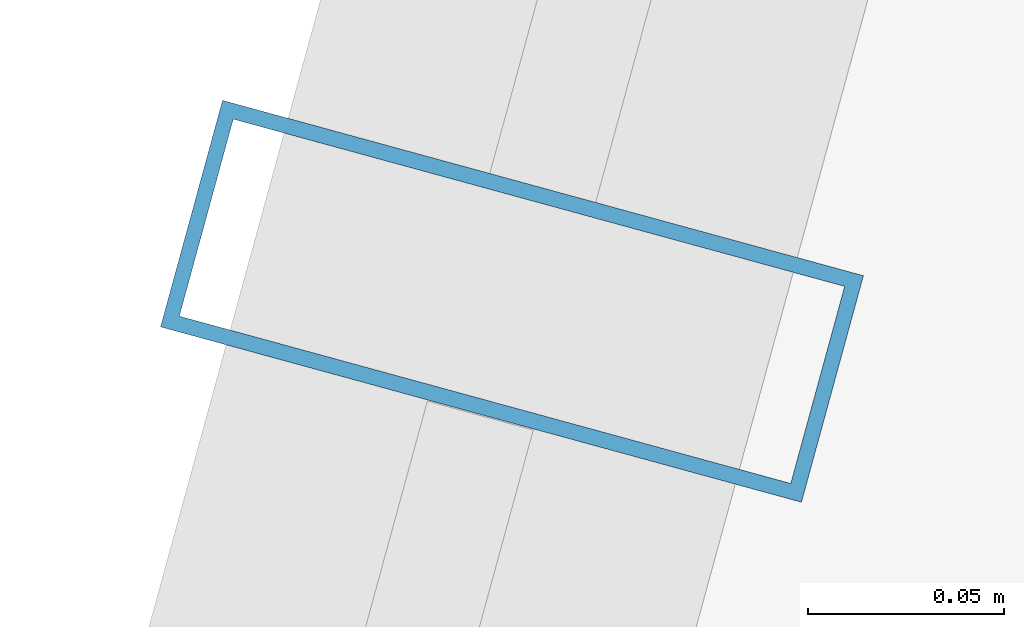
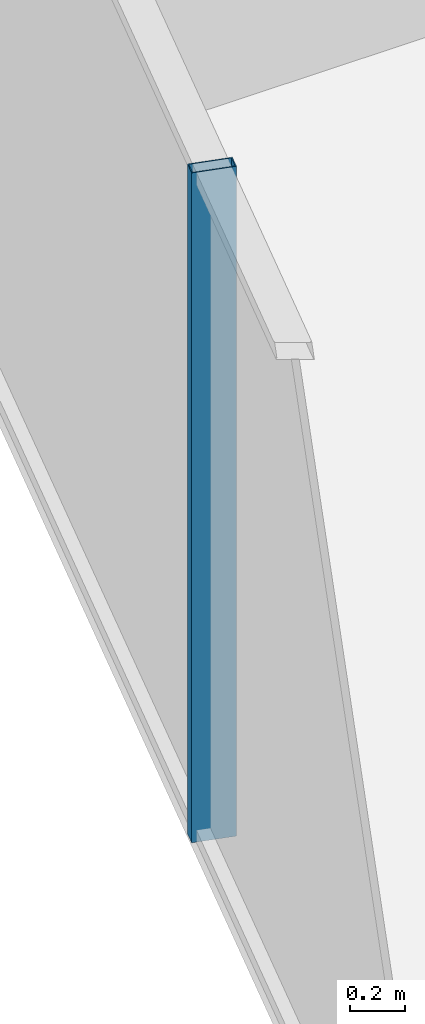
# One storey, part 11 of 39: 1 member, 1 element without a shape of its own.
"""IFC4 building model written with IfcOpenShell, lengths in metres."""

from ifc_helpers import new_model, si_unit, direction, frame, origin, origin_2d, place, context, subcontext, project, spatial, hollow_rectangle, extrude, source, transform, mapped, material, layer, layer_set, material_profile, profile_set, type_object, element, aggregate, save


model = new_model("IFC4")

# Units and contexts
model_context = context("Model", 3, precision=1e-05, world=origin(), true_north=direction((0.0, 1.0)))
body_context = subcontext(model_context, "Body", "Model", "MODEL_VIEW")
ifc_project = project(units=[si_unit("LENGTHUNIT", "METRE"), si_unit("AREAUNIT", "SQUARE_METRE"), si_unit("VOLUMEUNIT", "CUBIC_METRE"), si_unit("PLANEANGLEUNIT", "RADIAN"), si_unit("MASSUNIT", "GRAM", prefix="KILO")], contexts=[model_context])

# Site, building, storey
site_placement = place(None, origin())
site = spatial("IfcSite", under=ifc_project, at=site_placement, CompositionType="ELEMENT")
building_placement = place(site_placement, origin())
building = spatial("IfcBuilding", under=site, at=building_placement, Name="Veraguas Prism Commons", CompositionType="ELEMENT")
storey_placement = place(building_placement, frame((0.0, 0.0, 73.85009765625)))
storey = spatial("IfcBuildingStorey", under=building, at=storey_placement, Name="L20", CompositionType="ELEMENT", Elevation=73.85009765625)

# Curtain wall, member
ifc_material = material(Name="Anodised aluminium EN AW-6063 T6", Category="aluminium")
ifc_layer = layer(ifc_material, 0.169921875, Name="Unitised Flush Curtain Wall Zone 1", Category="aluminium")
ifc_layer_set = layer_set([ifc_layer], Name="Anodised aluminium EN AW-6063 T6")
curtain_wall_type = type_object("IfcCurtainWallType", Name="Unitised Flush Curtain Wall Zone 1", PredefinedType="NOTDEFINED", material=ifc_layer_set)
curtain_wall_placement = place(storey_placement, origin())
curtain_wall = element("IfcCurtainWall", 1, at=curtain_wall_placement, inside=storey, type_object=curtain_wall_type, Name="Tower Facade Curtain Wall L20-F3", PredefinedType="NOTDEFINED")
ifc_material_profile = material_profile(ifc_material, hollow_rectangle(XDim=0.06005859375, YDim=0.169921875, WallThickness=0.00390625, at=origin_2d()), Name="AL60X170X4")
ifc_profile_set = profile_set([ifc_material_profile], Name="Anodised aluminium EN AW-6063 T6")
member_type = type_object("IfcMemberType", Name="Curtain Wall Mullion Lower AL 60x170x4", PredefinedType="MULLION", material=ifc_profile_set)
shared_shape = source(origin(), body_context, "Body", "SweptSolid", [
    extrude(hollow_rectangle(XDim=0.06005859375, YDim=0.169921875, WallThickness=0.00390625, at=origin_2d()), origin(), (0.0, 0.0, 1.0), 3.0),
])
member_placement = place(storey_placement, frame((3.9521484375, 29.484619140625, 0.0), z_axis=(0.0, 0.0, 1.0), x_axis=(-0.26387978384, -0.964555576253, 0.0)))
member = element("IfcMember", 2, at=member_placement, type_object=member_type, Name="CW-Z1 Mullion 3", PredefinedType="MULLION", context=body_context, shape_type="MappedRepresentation", body=[
    mapped(shared_shape, transform((0.0, 0.0, 0.0), scale=1.0)),
])
aggregate(curtain_wall, [member])

save(model, "model.ifc")
